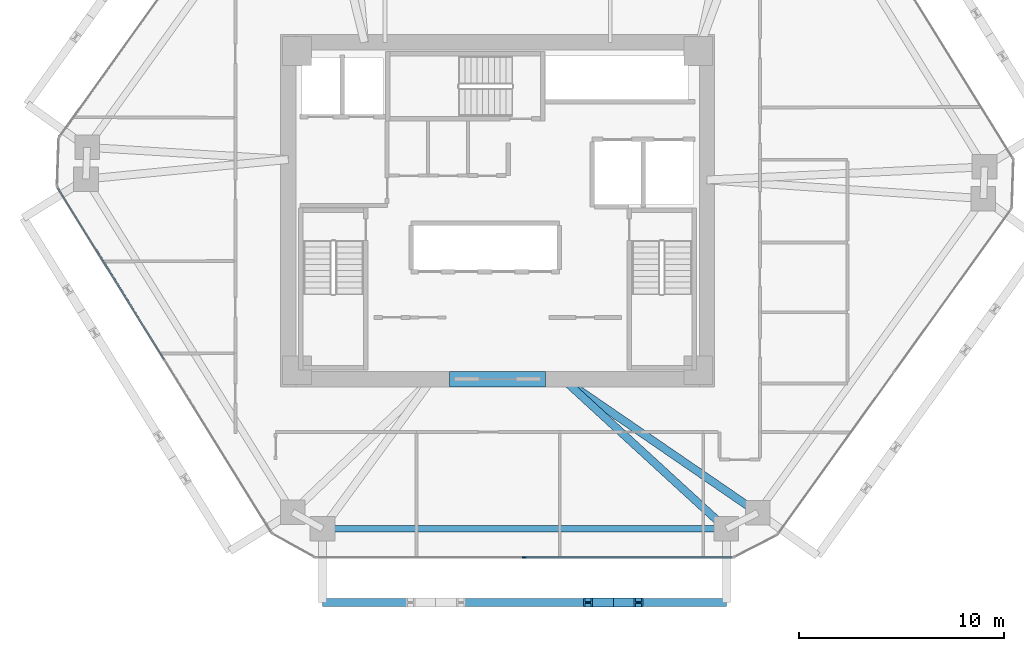
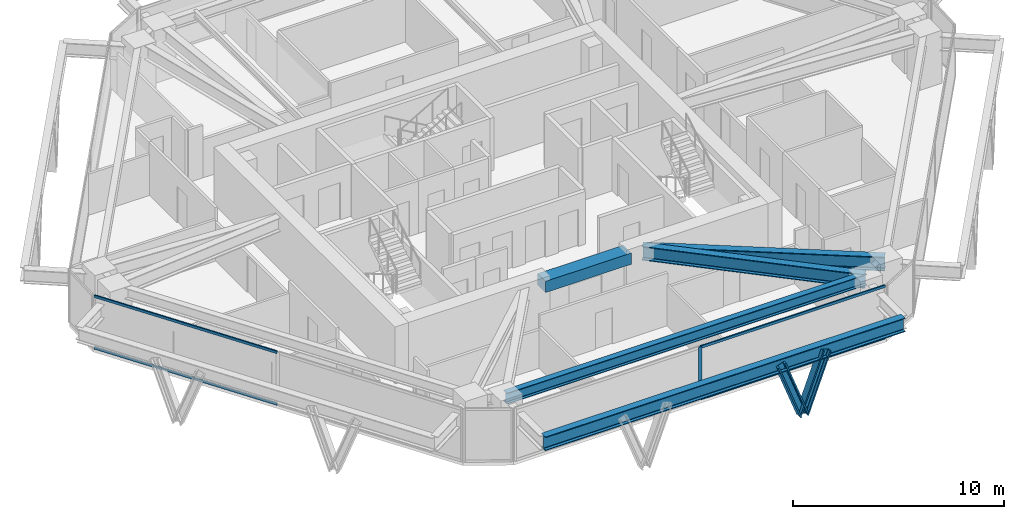
# One storey, part 3 of 14: 7 members, 5 beams, 2 elements without a shape of their own.
"""IFC4 building model written with IfcOpenShell, lengths in metres."""

from ifc_helpers import new_model, si_unit, direction, frame, origin, origin_2d, place, context, subcontext, project, spatial, rectangle, i_section, extrude, source, transform, mapped, material, layer, layer_set, material_profile, profile_set, type_object, type_shapes, element, aggregate, save


model = new_model("IFC4")

# Units and contexts
model_context = context("Model", 3, precision=1e-05, world=origin(), true_north=direction((0.0, 1.0)))
body_context = subcontext(model_context, "Body", "Model", "MODEL_VIEW")
ifc_project = project(units=[si_unit("LENGTHUNIT", "METRE"), si_unit("AREAUNIT", "SQUARE_METRE"), si_unit("VOLUMEUNIT", "CUBIC_METRE"), si_unit("PLANEANGLEUNIT", "RADIAN"), si_unit("MASSUNIT", "GRAM", prefix="KILO")], contexts=[model_context])

# Site, building, storey
site_placement = place(None, origin())
site = spatial("IfcSite", under=ifc_project, at=site_placement, CompositionType="ELEMENT")
building_placement = place(site_placement, origin())
building = spatial("IfcBuilding", under=site, at=building_placement, Name="Durnholm Broadcast Tower", CompositionType="ELEMENT")
storey_placement = place(building_placement, frame((0.0, 0.0, 107.39990234375)))
storey = spatial("IfcBuildingStorey", under=building, at=storey_placement, Name="L28", CompositionType="ELEMENT", Elevation=107.39990234375)

# Beams
ifc_material_1 = material(Name="Concrete C70/85", Category="concrete")
ifc_material_profile_1 = material_profile(ifc_material_1, rectangle(XDim=0.75, YDim=0.64990234375, at=origin_2d()), Name="RC750X650")
ifc_profile_set_1 = profile_set([ifc_material_profile_1], Name="Concrete C70/85")
beam_type_1 = type_object("IfcBeamType", Name="BM-CB-RC650", PredefinedType="LINTEL", material=ifc_profile_set_1)
shared_shape_1 = source(origin(), body_context, "Body", "SweptSolid", [
    extrude(rectangle(XDim=0.75, YDim=0.64990234375, at=origin_2d()), origin(), (0.0, 0.0, 1.0), 4.7001953125),
])
type_shapes(beam_type_1, [shared_shape_1])
beam_1_placement = place(storey_placement, frame((-2.35009765625, -8.22509765625, 2.72998046875), z_axis=(1.0, 0.0, 0.0), x_axis=(0.0, 1.0, 0.0)))
element("IfcBeam", 1, at=beam_1_placement, inside=storey, type_object=beam_type_1, Name="L28 south core coupling lintel beam CB-S", PredefinedType="LINTEL", context=body_context, shape_type="MappedRepresentation", body=[
    mapped(shared_shape_1, transform((0.0, 0.0, 0.0), x_axis=(1.0, 0.0, 0.0), y_axis=(0.0, 1.0, 0.0), z_axis=(0.0, 0.0, 1.0), scale=1.0)),
])
ifc_material_2 = material(Name="Steel ASTM A992 Grade 50", Category="steel")
ifc_material_profile_2 = material_profile(ifc_material_2, i_section(OverallWidth=0.3291015625, OverallDepth=0.635009765625, WebThickness=0.017822265625, FlangeThickness=0.031005859375, FilletRadius=0.02783203125, at=origin_2d()), Name="W24X162")
ifc_profile_set_2 = profile_set([ifc_material_profile_2], Name="Steel ASTM A992 Grade 50")
beam_type_2 = type_object("IfcBeamType", Name="STL-SP-W24X162", PredefinedType="SPANDREL", material=ifc_profile_set_2)
shared_shape_2 = source(origin(), body_context, "Body", "SweptSolid", [
    extrude(i_section(OverallWidth=0.3291015625, OverallDepth=0.635009765625, WebThickness=0.017822265625, FlangeThickness=0.031005859375, FilletRadius=0.02783203125, at=origin_2d()), origin(), (0.0, 0.0, 1.0), 19.72802734375),
])
type_shapes(beam_type_2, [shared_shape_2])
beam_2_placement = place(storey_placement, frame((11.176025390625, -15.537109375, 2.7275390625), z_axis=(-1.0, 0.0, 0.0), x_axis=(0.0, -1.0, 0.0)))
element("IfcBeam", 2, at=beam_2_placement, inside=storey, type_object=beam_type_2, Name="L28 perimeter spandrel girder 11", PredefinedType="SPANDREL", context=body_context, shape_type="MappedRepresentation", body=[
    mapped(shared_shape_2, transform((0.0, 0.0, 0.0), x_axis=(1.0, 0.0, 0.0), y_axis=(0.0, 1.0, 0.0), z_axis=(0.0, 0.0, 1.0), scale=1.0)),
])
ifc_material_profile_3 = material_profile(ifc_material_2, i_section(OverallWidth=0.385009765625, OverallDepth=0.802978515625, WebThickness=0.023681640625, FlangeThickness=0.0419921875, FilletRadius=0.032958984375, at=origin_2d()), Name="W30X261")
ifc_profile_set_3 = profile_set([ifc_material_profile_3], Name="Steel ASTM A992 Grade 50")
beam_type_3 = type_object("IfcBeamType", Name="STL-GR-W30X261", PredefinedType="USERDEFINED", material=ifc_profile_set_3)
shared_shape_3 = source(origin(), body_context, "Body", "SweptSolid", [
    extrude(i_section(OverallWidth=0.385009765625, OverallDepth=0.802978515625, WebThickness=0.023681640625, FlangeThickness=0.0419921875, FilletRadius=0.032958984375, at=origin_2d()), origin(), (0.0, 0.0, 1.0), 11.533447265625),
])
beam_3_placement = place(storey_placement, frame((3.199951171875, -8.22509765625, 2.6435546875), z_axis=(0.824567182461, -0.565764051181, 0.0), x_axis=(0.565764051181, 0.824567182461, 0.0)))
element("IfcBeam", 3, at=beam_3_placement, inside=storey, type_object=beam_type_3, Name="L28 radial primary floor girder 10", ObjectType="GIRDER", PredefinedType="USERDEFINED", context=body_context, shape_type="MappedRepresentation", body=[
    mapped(shared_shape_3, transform((0.0, 0.0, 0.0), x_axis=(1.0, 0.0, 0.0), y_axis=(0.0, 1.0, 0.0), z_axis=(0.0, 0.0, 1.0), scale=1.0)),
])
shared_shape_4 = source(origin(), body_context, "Body", "SweptSolid", [
    extrude(i_section(OverallWidth=0.385009765625, OverallDepth=0.802978515625, WebThickness=0.023681640625, FlangeThickness=0.0419921875, FilletRadius=0.032958984375, at=origin_2d()), origin(), (0.0, 0.0, 1.0), 10.820556640625),
])
type_shapes(beam_type_3, [shared_shape_3, shared_shape_4])
beam_4_placement = place(storey_placement, frame((3.199951171875, -8.22509765625, 2.6435546875), z_axis=(0.737126042516, -0.675755279258, 0.0), x_axis=(0.675755279258, 0.737126042516, 0.0)))
element("IfcBeam", 4, at=beam_4_placement, inside=storey, type_object=beam_type_3, Name="L28 radial primary floor girder 11", ObjectType="GIRDER", PredefinedType="USERDEFINED", context=body_context, shape_type="MappedRepresentation", body=[
    mapped(shared_shape_4, transform((0.0, 0.0, 0.0), x_axis=(1.0, 0.0, 0.0), y_axis=(0.0, 1.0, 0.0), z_axis=(0.0, 0.0, 1.0), scale=1.0)),
])
ifc_material_profile_4 = material_profile(ifc_material_2, i_section(OverallWidth=0.385009765625, OverallDepth=0.802978515625, WebThickness=0.023681640625, FlangeThickness=0.0419921875, FilletRadius=0.032958984375, at=origin_2d()), Name="W30X261")
ifc_profile_set_4 = profile_set([ifc_material_profile_4], Name="Steel ASTM A992 Grade 50")
beam_type_4 = type_object("IfcBeamType", Name="BM-EXO-TIE", PredefinedType="USERDEFINED", material=ifc_profile_set_4)
shared_shape_5 = source(origin(), body_context, "Body", "SweptSolid", [
    extrude(i_section(OverallWidth=0.385009765625, OverallDepth=0.802978515625, WebThickness=0.023681640625, FlangeThickness=0.0419921875, FilletRadius=0.032958984375, at=origin_2d()), origin(), (0.0, 0.0, 1.0), 19.72802734375),
])
type_shapes(beam_type_4, [shared_shape_5])
beam_5_placement = place(storey_placement, frame((-8.552001953125, -19.136962890625, 2.30859375), z_axis=(1.0, 0.0, 0.0), x_axis=(0.0, 1.0, 0.0)))
element("IfcBeam", 5, at=beam_5_placement, inside=storey, type_object=beam_type_4, Name="L28 exoskeleton collector spandrel F1", PredefinedType="SPANDREL", context=body_context, shape_type="MappedRepresentation", body=[
    mapped(shared_shape_5, transform((0.0, 0.0, 0.0), x_axis=(1.0, 0.0, 0.0), y_axis=(0.0, 1.0, 0.0), z_axis=(0.0, 0.0, 1.0), scale=1.0)),
])

# Members
ifc_material_3 = material(Name="Steel ASTM A913 Grade 65", Category="steel")
ifc_material_profile_5 = material_profile(ifc_material_3, i_section(OverallWidth=0.424072265625, OverallDepth=0.47412109375, WebThickness=0.047607421875, FlangeThickness=0.0771484375, FilletRadius=0.030517578125, at=origin_2d()), Name="W14X426")
ifc_profile_set_5 = profile_set([ifc_material_profile_5], Name="Steel ASTM A913 Grade 65")
member_type_1 = type_object("IfcMemberType", Name="STL-DG-W14X426", PredefinedType="BRACE", material=ifc_profile_set_5)
shared_shape_6 = source(origin(), body_context, "Body", "SweptSolid", [
    extrude(i_section(OverallWidth=0.424072265625, OverallDepth=0.47412109375, WebThickness=0.047607421875, FlangeThickness=0.0771484375, FilletRadius=0.030517578125, at=origin_2d()), origin(), (0.0, 0.0, 1.0), 3.52294921875),
])
type_shapes(member_type_1, [shared_shape_6])
for number, where, z_axis, x_axis, name in (
    (6, (5.65234375, -19.136962890625, -0.9912109375), (-0.350242321485, 0.0, 0.93665912489), (0.0, -1.0, 0.0), "L28 stand-off diagrid brace F1.D2.1"),
    (7, (5.65234375, -19.136962890625, -0.9912109375), (0.35018152026, 0.0, 0.936681857873), (0.0, 1.0, 0.0), "L28 stand-off diagrid brace F1.D2.2"),
):
    element("IfcMember", number, at=place(storey_placement, frame(where, z_axis=z_axis, x_axis=x_axis)), inside=storey, type_object=member_type_1, Name=name, PredefinedType="BRACE", context=body_context, shape_type="MappedRepresentation", body=[
        mapped(shared_shape_6, transform((0.0, 0.0, 0.0), x_axis=(1.0, 0.0, 0.0), y_axis=(0.0, 1.0, 0.0), z_axis=(0.0, 0.0, 1.0), scale=1.0)),
    ])

# Curtain wall, members
ifc_material_4 = material(Name="Aluminium and Solar Control IGU", Category="aluminium")
ifc_layer = layer(ifc_material_4, 0.18994140625)
ifc_layer_set = layer_set([ifc_layer], Name="Aluminium and Solar Control IGU")
curtain_wall_type = type_object("IfcCurtainWallType", Name="CW-SYS-3", PredefinedType="NOTDEFINED", material=ifc_layer_set)
curtain_wall_1_placement = place(storey_placement, origin())
curtain_wall_1 = element("IfcCurtainWall", 8, at=curtain_wall_1_placement, inside=storey, type_object=curtain_wall_type, Name="L28 curtain wall CW-Z12-VIS CW-L28-F10", PredefinedType="NOTDEFINED")
ifc_material_5 = material(Name="Aluminium 6063-T6", Category="aluminium")
ifc_material_profile_6 = material_profile(ifc_material_5, rectangle(XDim=0.070068359375, YDim=0.18994140625, at=origin_2d()), Name="CWM70X190")
ifc_profile_set_6 = profile_set([ifc_material_profile_6], Name="Aluminium 6063-T6")
member_type_2 = type_object("IfcMemberType", Name="CW-SYS-3-MUL", PredefinedType="MULLION", material=ifc_profile_set_6)
shared_shape_7 = source(origin(), body_context, "Body", "SweptSolid", [
    extrude(rectangle(XDim=0.070068359375, YDim=0.18994140625, at=origin_2d()), origin(), (0.0, 0.0, 1.0), 3.06005859375),
])
type_shapes(member_type_2, [shared_shape_7])
member_1_placement = place(storey_placement, frame((1.299560546875, -16.93701171875, 0.0), z_axis=(0.0, 0.0, 1.0), x_axis=(0.0, -1.0, 0.0)))
member_1 = element("IfcMember", 9, at=member_1_placement, type_object=member_type_2, Name="CW-Z12-VIS mullion 2", PredefinedType="MULLION", context=body_context, shape_type="MappedRepresentation", body=[
    mapped(shared_shape_7, transform((0.0, 0.0, 0.0), x_axis=(1.0, 0.0, 0.0), y_axis=(0.0, 1.0, 0.0), z_axis=(0.0, 0.0, 1.0), scale=1.0)),
])
ifc_material_profile_7 = material_profile(ifc_material_5, rectangle(XDim=0.070068359375, YDim=0.14990234375, at=origin_2d()), Name="CWT70X150")
ifc_profile_set_7 = profile_set([ifc_material_profile_7], Name="Aluminium 6063-T6")
member_type_3 = type_object("IfcMemberType", Name="CW-SYS-3-TRN", PredefinedType="USERDEFINED", material=ifc_profile_set_7)
shared_shape_8 = source(origin(), body_context, "Body", "SweptSolid", [
    extrude(rectangle(XDim=0.070068359375, YDim=0.14990234375, at=origin_2d()), origin(), (0.0, 0.0, 1.0), 10.109619140625),
])
member_2_placement = place(storey_placement, frame((11.444091796875, -16.93701171875, 0.03515625), z_axis=(-1.0, 0.0, 0.0), x_axis=(0.0, -1.0, 0.0)))
member_2 = element("IfcMember", 10, at=member_2_placement, type_object=member_type_3, Name="CW-Z12-VIS transom 1.1", ObjectType="TRANSOM", PredefinedType="USERDEFINED", context=body_context, shape_type="MappedRepresentation", body=[
    mapped(shared_shape_8, transform((0.0, 0.0, 0.0), x_axis=(1.0, 0.0, 0.0), y_axis=(0.0, 1.0, 0.0), z_axis=(0.0, 0.0, 1.0), scale=1.0)),
])
member_3_placement = place(storey_placement, frame((11.444091796875, -16.93701171875, 3.025146484375), z_axis=(-1.0, 0.0, 0.0), x_axis=(0.0, -1.0, 0.0)))
member_3 = element("IfcMember", 11, at=member_3_placement, type_object=member_type_3, Name="CW-Z12-VIS transom 1.2", ObjectType="TRANSOM", PredefinedType="USERDEFINED", context=body_context, shape_type="MappedRepresentation", body=[
    mapped(shared_shape_8, transform((0.0, 0.0, 0.0), x_axis=(1.0, 0.0, 0.0), y_axis=(0.0, 1.0, 0.0), z_axis=(0.0, 0.0, 1.0), scale=1.0)),
])
aggregate(curtain_wall_1, [member_1, member_2, member_3])

curtain_wall_2_placement = place(storey_placement, origin())
curtain_wall_2 = element("IfcCurtainWall", 12, at=curtain_wall_2_placement, inside=storey, type_object=curtain_wall_type, Name="L28 curtain wall CW-Z12-VIS CW-L28-F12", PredefinedType="NOTDEFINED")
shared_shape_9 = source(origin(), body_context, "Body", "SweptSolid", [
    extrude(rectangle(XDim=0.070068359375, YDim=0.14990234375, at=origin_2d()), origin(), (0.0, 0.0, 1.0), 9.85888671875),
])
type_shapes(member_type_3, [shared_shape_8, shared_shape_9])
member_4_placement = place(storey_placement, frame((-16.28271484375, -7.27294921875, 0.03515625), z_axis=(-0.527119964735, 0.849790881793, 0.0), x_axis=(-0.849790881793, -0.527119964735, 0.0)))
member_4 = element("IfcMember", 13, at=member_4_placement, type_object=member_type_3, Name="CW-Z12-VIS transom 2.1", ObjectType="TRANSOM", PredefinedType="USERDEFINED", context=body_context, shape_type="MappedRepresentation", body=[
    mapped(shared_shape_9, transform((0.0, 0.0, 0.0), x_axis=(1.0, 0.0, 0.0), y_axis=(0.0, 1.0, 0.0), z_axis=(0.0, 0.0, 1.0), scale=1.0)),
])
member_5_placement = place(storey_placement, frame((-16.28271484375, -7.27294921875, 3.025146484375), z_axis=(-0.527119964735, 0.849790881793, 0.0), x_axis=(-0.849790881793, -0.527119964735, 0.0)))
member_5 = element("IfcMember", 14, at=member_5_placement, type_object=member_type_3, Name="CW-Z12-VIS transom 2.2", ObjectType="TRANSOM", PredefinedType="USERDEFINED", context=body_context, shape_type="MappedRepresentation", body=[
    mapped(shared_shape_9, transform((0.0, 0.0, 0.0), x_axis=(1.0, 0.0, 0.0), y_axis=(0.0, 1.0, 0.0), z_axis=(0.0, 0.0, 1.0), scale=1.0)),
])
aggregate(curtain_wall_2, [member_4, member_5])

save(model, "model.ifc")
